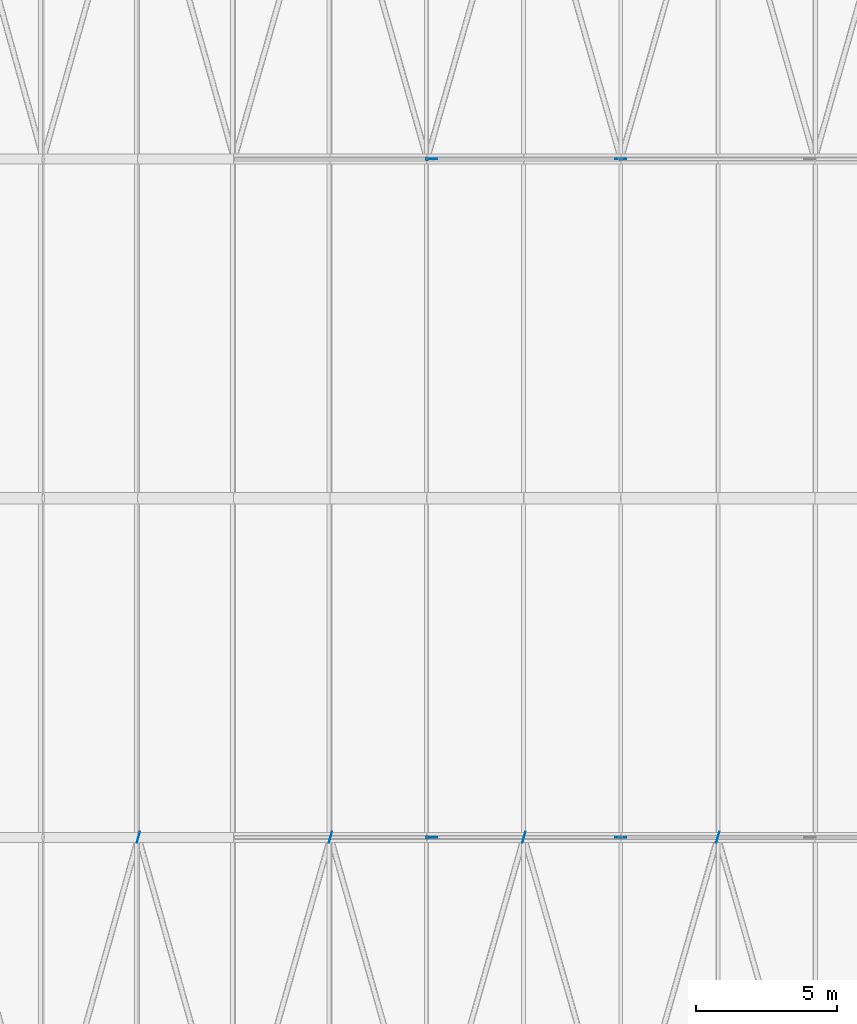
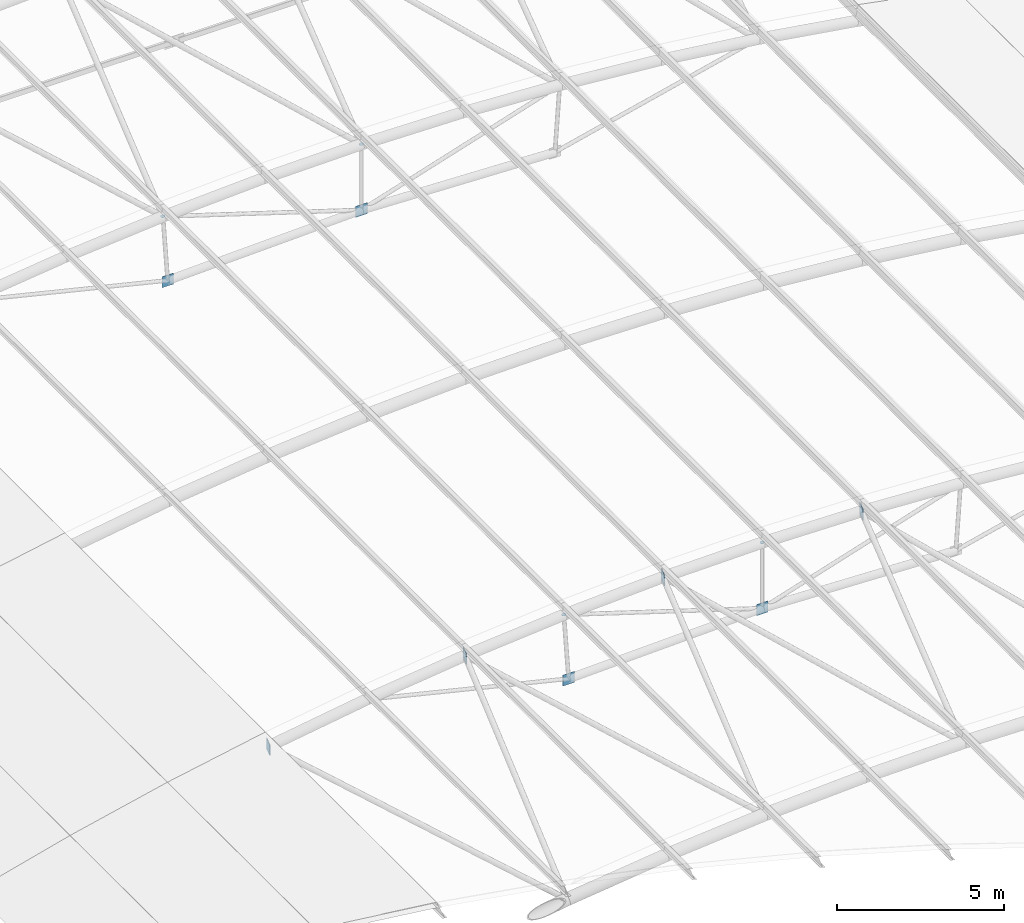
# One storey, part 80 of 91: 12 discrete accessories.
"""IFC4 building model written with IfcOpenShell, lengths in metres."""

from ifc_helpers import new_model, si_unit, direction, frame, origin, origin_2d, place, context, subcontext, project, spatial, rectangle, circle, extrude, material, material_profile, profile_set, type_object, element, save


model = new_model("IFC4")

# Units and contexts
model_context = context("Model", 3, precision=1e-05, world=origin(), true_north=direction((0.0, 1.0)))
body_context = subcontext(model_context, "Body", "Model", "MODEL_VIEW")
ifc_project = project(units=[si_unit("LENGTHUNIT", "METRE"), si_unit("AREAUNIT", "SQUARE_METRE"), si_unit("VOLUMEUNIT", "CUBIC_METRE"), si_unit("PLANEANGLEUNIT", "RADIAN"), si_unit("MASSUNIT", "GRAM", prefix="KILO")], contexts=[model_context])

# Site, building, storey
site_placement = place(None, origin())
site = spatial("IfcSite", under=ifc_project, at=site_placement, CompositionType="ELEMENT")
building_placement = place(site_placement, origin())
building = spatial("IfcBuilding", under=site, at=building_placement, Name="Ravi Spectrum Wholesale Market", CompositionType="ELEMENT")
storey_placement = place(building_placement, frame((0.0, 0.0, 16.199951171875)))
storey = spatial("IfcBuildingStorey", under=building, at=storey_placement, Name="ROOF PLANT LEVEL", CompositionType="ELEMENT", Elevation=16.199951171875)

# Discrete accessories
ifc_material_1 = material(Name="Steel S355", Category="steel")
ifc_material_profile_1 = material_profile(ifc_material_1, circle(Radius=0.06982421875, at=origin_2d()))
ifc_profile_set_1 = profile_set([ifc_material_profile_1], Name="Steel S355")
discrete_accessory_type_1 = type_object("IfcDiscreteAccessoryType", Name="End plate CHS 139.7x5", PredefinedType="BRACKET", material=ifc_profile_set_1)
for number, where, z_axis, x_axis, name in (
    (1, (63.142822265625, 162.0, 2.788818359375), (-0.081362009455, 0.0, 0.996684615823), (0.0, -1.0, 0.0), "End plate"),
    (2, (70.0, 162.0, 3.025390625), (0.0, 0.0, 1.0), (1.0, 0.0, 0.0), "End plate"),
    (3, (63.142822265625, 186.0, 2.788818359375), (-0.081362009455, 0.0, 0.996684615823), (0.0, -1.0, 0.0), "End plate"),
    (4, (70.0, 186.0, 3.025390625), (0.0, 0.0, 1.0), (1.0, 0.0, 0.0), "End plate"),
):
    element("IfcDiscreteAccessory", number, at=place(storey_placement, frame(where, z_axis=z_axis, x_axis=x_axis)), inside=storey, type_object=discrete_accessory_type_1, Name=name, PredefinedType="BRACKET", context=body_context, shape_type="SweptSolid", body=[
        extrude(circle(Radius=0.06982421875, at=origin_2d()), origin(), (0.0, 0.0, 1.0), 0.011962890625),
    ])
ifc_material_2 = material(Name="Steel S355", Category="steel")
ifc_material_profile_2 = material_profile(ifc_material_2, rectangle(XDim=0.39990234375, YDim=0.02001953125, at=origin_2d()))
ifc_profile_set_2 = profile_set([ifc_material_profile_2], Name="Steel S355")
discrete_accessory_type_2 = type_object("IfcDiscreteAccessoryType", Name="Gusset plate 400x400x20", PredefinedType="BRACKET", material=ifc_profile_set_2)
discrete_accessory_placement = place(storey_placement, frame((52.92822265625, 162.0, 1.349365234375), z_axis=(0.0, 0.0, 1.0), x_axis=(0.269956552127, 0.962872504522, 0.0)))
element("IfcDiscreteAccessory", 5, at=discrete_accessory_placement, inside=storey, type_object=discrete_accessory_type_2, Name="Gusset plate", PredefinedType="BRACKET", context=body_context, shape_type="SweptSolid", body=[
    extrude(rectangle(XDim=0.39990234375, YDim=0.02001953125, at=origin_2d()), origin(), (0.0, 0.0, 1.0), 0.400146484375),
])
for number, where, z_axis, x_axis, name in (
    (6, (59.724365234375, 162.0, 2.293212890625), (0.0, 0.0, 1.0), (0.272804059327, 0.962069615576, 0.0), "Gusset plate"),
    (7, (63.30810546875, 162.0, 0.194580078125), (0.0, 0.0, 1.0), (1.0, 0.0, 0.0), "Gusset plate"),
    (8, (63.30810546875, 186.0, 0.194580078125), (0.0, 0.0, 1.0), (1.0, 0.0, 0.0), "Gusset plate"),
    (9, (66.5693359375, 162.0, 2.766357421875), (0.0, 0.0, 1.0), (0.274445115423, 0.961602765502, 0.0), "Gusset plate"),
    (10, (70.0, 162.0, 0.425537109375), (0.0, 0.0, 1.0), (1.0, 0.0, 0.0), "Gusset plate"),
    (11, (70.0, 186.0, 0.425537109375), (0.0, 0.0, 1.0), (1.0, 0.0, 0.0), "Gusset plate"),
    (12, (73.4306640625, 162.0, 2.766357421875), (0.0, 0.0, 1.0), (0.274877393372, 0.961479286627, 0.0), "Gusset plate"),
):
    element("IfcDiscreteAccessory", number, at=place(storey_placement, frame(where, z_axis=z_axis, x_axis=x_axis)), inside=storey, type_object=discrete_accessory_type_2, Name=name, PredefinedType="BRACKET", context=body_context, shape_type="SweptSolid", body=[
        extrude(rectangle(XDim=0.39990234375, YDim=0.02001953125, at=origin_2d()), origin(), (0.0, 0.0, 1.0), 0.39990234375),
    ])

save(model, "model.ifc")
